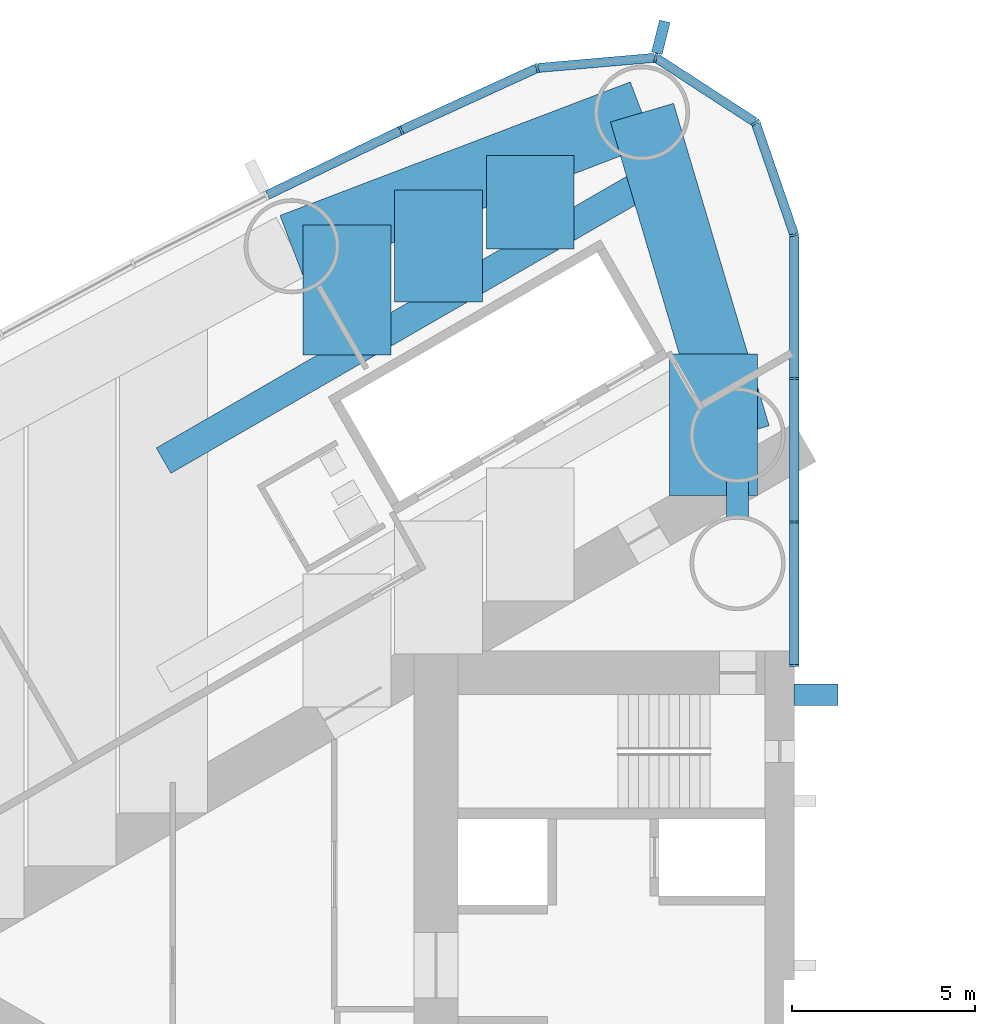
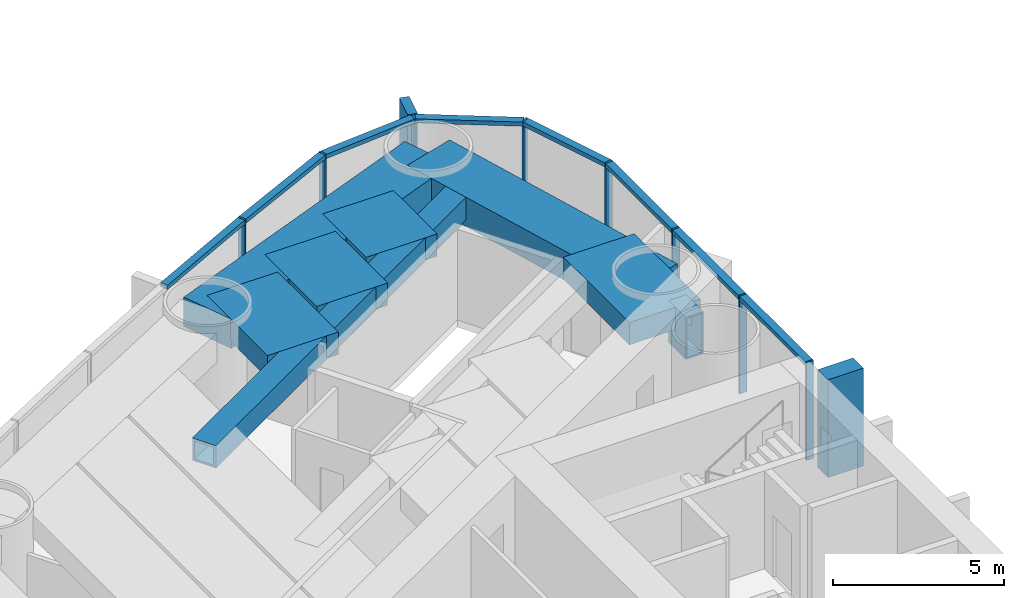
# One storey, part 5 of 18: 18 members, 8 beams, 1 element without a shape of its own.
"""IFC4 building model written with IfcOpenShell, lengths in metres."""

from ifc_helpers import new_model, si_unit, direction, frame, origin, origin_2d, place, context, subcontext, project, spatial, rectangle, hollow_rectangle, extrude, material, material_profile, profile_set, type_object, element, aggregate, save


model = new_model("IFC4")

# Units and contexts
model_context = context("Model", 3, precision=1e-05, world=origin(), true_north=direction((0.0, 1.0)))
body_context = subcontext(model_context, "Body", "Model", "MODEL_VIEW")
ifc_project = project(units=[si_unit("LENGTHUNIT", "METRE"), si_unit("AREAUNIT", "SQUARE_METRE"), si_unit("VOLUMEUNIT", "CUBIC_METRE"), si_unit("PLANEANGLEUNIT", "RADIAN"), si_unit("MASSUNIT", "GRAM", prefix="KILO")], contexts=[model_context])

# Site, building, storey
site_placement = place(None, origin())
site = spatial("IfcSite", under=ifc_project, at=site_placement, CompositionType="ELEMENT")
building_placement = place(site_placement, origin())
building = spatial("IfcBuilding", under=site, at=building_placement, Name="Lancet Gate Hotel", CompositionType="ELEMENT")
storey_placement = place(building_placement, frame((0.0, 0.0, 136.10009765625)))
storey = spatial("IfcBuildingStorey", under=building, at=storey_placement, Name="L36", CompositionType="ELEMENT", Elevation=136.10009765625)

# Curtain wall, members
ifc_material_1 = material(Name="Aluminium curtain wall", Category="aluminium")
curtain_wall_type = type_object("IfcCurtainWallType", Name="Tower unitised curtain wall", PredefinedType="USERDEFINED", material=ifc_material_1)
curtain_wall_placement = place(storey_placement, origin())
curtain_wall = element("IfcCurtainWall", 1, at=curtain_wall_placement, inside=storey, type_object=curtain_wall_type, Name="T1 L36 curtain wall 1", ObjectType="UNITISED CURTAIN WALL", PredefinedType="USERDEFINED")
ifc_material_2 = material(Name="Aluminium mullion", Category="aluminium")
ifc_material_profile_1 = material_profile(ifc_material_2, rectangle(XDim=0.06494140625, YDim=0.25, at=origin_2d()), Name="MULLION 65x250")
ifc_profile_set_1 = profile_set([ifc_material_profile_1], Name="Aluminium mullion")
member_type_1 = type_object("IfcMemberType", Name="Aluminium mullion 65x250", PredefinedType="MULLION", material=ifc_profile_set_1)
member_1_placement = place(storey_placement, frame((-27.5, 8.199951171875, 0.0), z_axis=(0.0, 0.0, 1.0), x_axis=(0.0, 1.0, 0.0)))
member_1 = element("IfcMember", 2, at=member_1_placement, type_object=member_type_1, Name="T1 L36 curtain wall 1 mullion 1", PredefinedType="MULLION", context=body_context, shape_type="SweptSolid", body=[
    extrude(rectangle(XDim=0.06494140625, YDim=0.25, at=origin_2d()), origin(), (0.0, 0.0, 1.0), 3.5),
])
member_2_placement = place(storey_placement, frame((-27.5, 12.123779296875, 0.0), z_axis=(0.0, 0.0, 1.0), x_axis=(0.0, 1.0, 0.0)))
member_2 = element("IfcMember", 3, at=member_2_placement, type_object=member_type_1, Name="T1 L36 curtain wall 1 mullion 2", PredefinedType="MULLION", context=body_context, shape_type="SweptSolid", body=[
    extrude(rectangle(XDim=0.06494140625, YDim=0.25, at=origin_2d()), origin(), (0.0, 0.0, 1.0), 3.5),
])
member_3_placement = place(storey_placement, frame((-27.5, 16.04736328125, 0.0), z_axis=(0.0, 0.0, 1.0), x_axis=(0.0, 1.0, 0.0)))
member_3 = element("IfcMember", 4, at=member_3_placement, type_object=member_type_1, Name="T1 L36 curtain wall 1 mullion 3", PredefinedType="MULLION", context=body_context, shape_type="SweptSolid", body=[
    extrude(rectangle(XDim=0.06494140625, YDim=0.25, at=origin_2d()), origin(), (0.0, 0.0, 1.0), 3.5),
])
member_4_placement = place(storey_placement, frame((-27.5, 19.97119140625, 0.0), z_axis=(0.0, 0.0, 1.0), x_axis=(-0.149634446211, 0.988741388082, 0.0)))
member_4 = element("IfcMember", 5, at=member_4_placement, type_object=member_type_1, Name="T1 L36 curtain wall 1 mullion 4", PredefinedType="MULLION", context=body_context, shape_type="SweptSolid", body=[
    extrude(rectangle(XDim=0.06494140625, YDim=0.25, at=origin_2d()), origin(), (0.0, 0.0, 1.0), 3.5),
])
member_5_placement = place(storey_placement, frame((-28.5595703125, 23.049072265625, 0.0), z_axis=(0.0, 0.0, 1.0), x_axis=(-0.615574240878, 0.788078900851, 0.0)))
member_5 = element("IfcMember", 6, at=member_5_placement, type_object=member_type_1, Name="T1 L36 curtain wall 1 mullion 5", PredefinedType="MULLION", context=body_context, shape_type="SweptSolid", body=[
    extrude(rectangle(XDim=0.06494140625, YDim=0.25, at=origin_2d()), origin(), (0.0, 0.0, 1.0), 3.5),
])
member_6_placement = place(storey_placement, frame((-31.289306640625, 24.822265625, 0.0), z_axis=(0.0, 0.0, 1.0), x_axis=(-0.970242142288, 0.242136707934, 0.0)))
member_6 = element("IfcMember", 7, at=member_6_placement, type_object=member_type_1, Name="T1 L36 curtain wall 1 mullion 6", PredefinedType="MULLION", context=body_context, shape_type="SweptSolid", body=[
    extrude(rectangle(XDim=0.06494140625, YDim=0.25, at=origin_2d()), origin(), (0.0, 0.0, 1.0), 3.5),
])
member_7_placement = place(storey_placement, frame((-34.5322265625, 24.53955078125, 0.0), z_axis=(0.0, 0.0, 1.0), x_axis=(-0.961653318232, -0.27426792655, 0.0)))
member_7 = element("IfcMember", 8, at=member_7_placement, type_object=member_type_1, Name="T1 L36 curtain wall 1 mullion 7", PredefinedType="MULLION", context=body_context, shape_type="SweptSolid", body=[
    extrude(rectangle(XDim=0.06494140625, YDim=0.25, at=origin_2d()), origin(), (0.0, 0.0, 1.0), 3.5),
])
member_8_placement = place(storey_placement, frame((-38.25244140625, 22.83642578125, 0.0), z_axis=(0.0, 0.0, 1.0), x_axis=(-0.904719609771, -0.426007544178, 0.0)))
member_8 = element("IfcMember", 9, at=member_8_placement, type_object=member_type_1, Name="T1 L36 curtain wall 1 mullion 8", PredefinedType="MULLION", context=body_context, shape_type="SweptSolid", body=[
    extrude(rectangle(XDim=0.06494140625, YDim=0.25, at=origin_2d()), origin(), (0.0, 0.0, 1.0), 3.5),
])
ifc_material_3 = material(Name="Aluminium transom", Category="aluminium")
ifc_material_profile_2 = material_profile(ifc_material_3, rectangle(XDim=0.25, YDim=0.14990234375, at=origin_2d()), Name="TRANSOM 250x150")
ifc_profile_set_2 = profile_set([ifc_material_profile_2], Name="Aluminium transom")
member_type_2 = type_object("IfcMemberType", Name="Aluminium transom 250x150", PredefinedType="USERDEFINED", material=ifc_profile_set_2)
member_9_placement = place(storey_placement, frame((-27.5, 8.232421875, 3.4248046875), z_axis=(0.0, 1.0, 0.0), x_axis=(-1.0, 0.0, 0.0)))
member_9 = element("IfcMember", 10, at=member_9_placement, type_object=member_type_2, Name="T1 L36 curtain wall 1 transom 1", ObjectType="TRANSOM", PredefinedType="USERDEFINED", context=body_context, shape_type="SweptSolid", body=[
    extrude(rectangle(XDim=0.25, YDim=0.14990234375, at=origin_2d()), origin(), (0.0, 0.0, 1.0), 3.85888671875),
])
member_10_placement = place(storey_placement, frame((-27.5, 12.15625, 3.4248046875), z_axis=(0.0, 1.0, 0.0), x_axis=(-1.0, 0.0, 0.0)))
member_10 = element("IfcMember", 11, at=member_10_placement, type_object=member_type_2, Name="T1 L36 curtain wall 1 transom 2", ObjectType="TRANSOM", PredefinedType="USERDEFINED", context=body_context, shape_type="SweptSolid", body=[
    extrude(rectangle(XDim=0.25, YDim=0.14990234375, at=origin_2d()), origin(), (0.0, 0.0, 1.0), 3.858642578125),
])
member_11_placement = place(storey_placement, frame((-27.5, 16.079833984375, 3.4248046875), z_axis=(0.0, 1.0, 0.0), x_axis=(-1.0, 0.0, 0.0)))
member_11 = element("IfcMember", 12, at=member_11_placement, type_object=member_type_2, Name="T1 L36 curtain wall 1 transom 3", ObjectType="TRANSOM", PredefinedType="USERDEFINED", context=body_context, shape_type="SweptSolid", body=[
    extrude(rectangle(XDim=0.25, YDim=0.14990234375, at=origin_2d()), origin(), (0.0, 0.0, 1.0), 3.858642578125),
])
member_12_placement = place(storey_placement, frame((-27.510498046875, 20.001708984375, 3.4248046875), z_axis=(-0.32553312754, 0.945530635609, 0.0), x_axis=(-0.945530635609, -0.32553312754, 0.0)))
member_12 = element("IfcMember", 13, at=member_12_placement, type_object=member_type_2, Name="T1 L36 curtain wall 1 transom 4", ObjectType="TRANSOM", PredefinedType="USERDEFINED", context=body_context, shape_type="SweptSolid", body=[
    extrude(rectangle(XDim=0.25, YDim=0.14990234375, at=origin_2d()), origin(), (0.0, 0.0, 1.0), 3.1904296875),
])
member_13_placement = place(storey_placement, frame((-28.5869140625, 23.066650390625, 3.4248046875), z_axis=(-0.838550259452, 0.544824249068, 0.0), x_axis=(-0.544824249068, -0.838550259452, 0.0)))
member_13 = element("IfcMember", 14, at=member_13_placement, type_object=member_type_2, Name="T1 L36 curtain wall 1 transom 5", ObjectType="TRANSOM", PredefinedType="USERDEFINED", context=body_context, shape_type="SweptSolid", body=[
    extrude(rectangle(XDim=0.25, YDim=0.14990234375, at=origin_2d()), origin(), (0.0, 0.0, 1.0), 3.190185546875),
])
member_14_placement = place(storey_placement, frame((-31.32177734375, 24.819580078125, 3.4248046875), z_axis=(-0.996213545522, -0.086940046686, 0.0), x_axis=(0.086940046686, -0.996213545522, 0.0)))
member_14 = element("IfcMember", 15, at=member_14_placement, type_object=member_type_2, Name="T1 L36 curtain wall 1 transom 6", ObjectType="TRANSOM", PredefinedType="USERDEFINED", context=body_context, shape_type="SweptSolid", body=[
    extrude(rectangle(XDim=0.25, YDim=0.14990234375, at=origin_2d()), origin(), (0.0, 0.0, 1.0), 3.18994140625),
])
member_15_placement = place(storey_placement, frame((-34.561767578125, 24.52587890625, 3.4248046875), z_axis=(-0.909252284196, -0.416245460857, 0.0), x_axis=(0.416245460857, -0.909252284196, 0.0)))
member_15 = element("IfcMember", 16, at=member_15_placement, type_object=member_type_2, Name="T1 L36 curtain wall 1 transom 7", ObjectType="TRANSOM", PredefinedType="USERDEFINED", context=body_context, shape_type="SweptSolid", body=[
    extrude(rectangle(XDim=0.25, YDim=0.14990234375, at=origin_2d()), origin(), (0.0, 0.0, 1.0), 4.026611328125),
])
member_16_placement = place(storey_placement, frame((-38.28173828125, 22.822265625, 3.4248046875), z_axis=(-0.900065677074, -0.435754262117, 0.0), x_axis=(0.435754262117, -0.900065677074, 0.0)))
member_16 = element("IfcMember", 17, at=member_16_placement, type_object=member_type_2, Name="T1 L36 curtain wall 1 transom 8", ObjectType="TRANSOM", PredefinedType="USERDEFINED", context=body_context, shape_type="SweptSolid", body=[
    extrude(rectangle(XDim=0.25, YDim=0.14990234375, at=origin_2d()), origin(), (0.0, 0.0, 1.0), 4.026611328125),
])

# Beams
ifc_material_4 = material(Name="Concrete C50/60", Category="concrete")
ifc_material_profile_3 = material_profile(ifc_material_4, rectangle(XDim=1.800048828125, YDim=1.050048828125, at=origin_2d()), Name="RC 1800x1050")
ifc_profile_set_3 = profile_set([ifc_material_profile_3], Name="Concrete C50/60")
beam_type_1 = type_object("IfcBeamType", Name="Edge beam RC 1800x1050", PredefinedType="SPANDREL", material=ifc_profile_set_3)
beam_1_placement = place(storey_placement, frame((-31.66455078125, 23.318359375, 2.724853515625), z_axis=(-0.934392266213, -0.356245832033, 0.0), x_axis=(0.356245832033, -0.934392266213, 0.0)))
element("IfcBeam", 18, at=beam_1_placement, inside=storey, type_object=beam_type_1, Name="T1 edge beam EB1 L36", PredefinedType="SPANDREL", context=body_context, shape_type="SweptSolid", body=[
    extrude(rectangle(XDim=1.800048828125, YDim=1.050048828125, at=origin_2d()), origin(), (0.0, 0.0, 1.0), 10.2529296875),
])
beam_2_placement = place(storey_placement, frame((-31.66455078125, 23.318359375, 2.724853515625), z_axis=(0.284253711522, -0.958749095168, 0.0), x_axis=(0.958749095168, 0.284253711522, 0.0)))
element("IfcBeam", 19, at=beam_2_placement, inside=storey, type_object=beam_type_1, Name="T1 edge beam EB1 L36", PredefinedType="SPANDREL", context=body_context, shape_type="SweptSolid", body=[
    extrude(rectangle(XDim=1.800048828125, YDim=1.050048828125, at=origin_2d()), origin(), (0.0, 0.0, 1.0), 9.19775390625),
])

# Member
ifc_material_5 = material(Name="Concrete C60/75", Category="concrete")
ifc_material_profile_4 = material_profile(ifc_material_5, rectangle(XDim=0.60009765625, YDim=1.199951171875, at=origin_2d()), Name="FIN 600x1200")
ifc_profile_set_4 = profile_set([ifc_material_profile_4], Name="Concrete C60/75")
member_type_3 = type_object("IfcMemberType", Name="Exposed concrete buttress pilaster 600x1200", PredefinedType="USERDEFINED", material=ifc_profile_set_4)
member_17_placement = place(storey_placement, frame((-26.909912109375, 7.39990234375, 0.0), z_axis=(0.0, 0.0, 1.0), x_axis=(0.0, 1.0, 0.0)))
element("IfcMember", 20, at=member_17_placement, inside=storey, type_object=member_type_3, Name="T1 buttress pilaster S L36", ObjectType="FIN", PredefinedType="USERDEFINED", context=body_context, shape_type="SweptSolid", body=[
    extrude(rectangle(XDim=0.60009765625, YDim=1.199951171875, at=origin_2d()), origin(), (0.0, 0.0, 1.0), 3.5),
])

ifc_material_6 = material(Name="Precast concrete C50/60", Category="concrete")
ifc_material_profile_5 = material_profile(ifc_material_6, rectangle(XDim=0.300048828125, YDim=0.89990234375, at=origin_2d()), Name="FIN 300x900")
ifc_profile_set_5 = profile_set([ifc_material_profile_5], Name="Precast concrete C50/60")
member_type_4 = type_object("IfcMemberType", Name="Exposed concrete fin 300x900", PredefinedType="USERDEFINED", material=ifc_profile_set_5)
member_18_placement = place(storey_placement, frame((-31.150146484375, 25.380126953125, 0.0), z_axis=(0.0, 0.0, 1.0), x_axis=(-0.970242142288, 0.242136707934, 0.0)))
member_18 = element("IfcMember", 21, at=member_18_placement, type_object=member_type_4, Name="T1 L36 curtain wall 1 fin 6", ObjectType="FIN", PredefinedType="USERDEFINED", context=body_context, shape_type="SweptSolid", body=[
    extrude(rectangle(XDim=0.300048828125, YDim=0.89990234375, at=origin_2d()), origin(), (0.0, 0.0, 1.0), 3.5),
])

aggregate(curtain_wall, [member_1, member_2, member_3, member_4, member_5, member_6, member_18, member_7, member_8, member_9, member_10, member_11, member_12, member_13, member_14, member_15, member_16])

# Beams
ifc_material_7 = material(Name="Concrete C50/60", Category="concrete")
ifc_material_profile_6 = material_profile(ifc_material_7, rectangle(XDim=2.39990234375, YDim=0.800048828125, at=origin_2d()), Name="RC 2400x800")
ifc_profile_set_6 = profile_set([ifc_material_profile_6], Name="Concrete C50/60")
beam_type_2 = type_object("IfcBeamType", Name="Floor beam RC 2400x800", PredefinedType="BEAM", material=ifc_profile_set_6)
beam_3_placement = place(storey_placement, frame((-29.706787109375, 16.71533203125, 2.849853515625), z_axis=(0.0, -1.0, 0.0), x_axis=(1.0, 0.0, 0.0)))
element("IfcBeam", 22, at=beam_3_placement, inside=storey, type_object=beam_type_2, Name="T1 floor beam F02S L36", PredefinedType="BEAM", context=body_context, shape_type="SweptSolid", body=[
    extrude(rectangle(XDim=2.39990234375, YDim=0.800048828125, at=origin_2d()), origin(), (0.0, 0.0, 1.0), 3.86279296875),
])
beam_4_placement = place(storey_placement, frame((-34.720458984375, 22.1533203125, 2.849853515625), z_axis=(0.0, -1.0, 0.0), x_axis=(1.0, 0.0, 0.0)))
element("IfcBeam", 23, at=beam_4_placement, inside=storey, type_object=beam_type_2, Name="T1 floor beam F04SA L36", PredefinedType="BEAM", context=body_context, shape_type="SweptSolid", body=[
    extrude(rectangle(XDim=2.39990234375, YDim=0.800048828125, at=origin_2d()), origin(), (0.0, 0.0, 1.0), 2.561767578125),
])
beam_5_placement = place(storey_placement, frame((-37.227294921875, 21.197509765625, 2.849853515625), z_axis=(0.0, -1.0, 0.0), x_axis=(1.0, 0.0, 0.0)))
element("IfcBeam", 24, at=beam_5_placement, inside=storey, type_object=beam_type_2, Name="T1 floor beam F05SA L36", PredefinedType="BEAM", context=body_context, shape_type="SweptSolid", body=[
    extrude(rectangle(XDim=2.39990234375, YDim=0.800048828125, at=origin_2d()), origin(), (0.0, 0.0, 1.0), 3.053466796875),
])
beam_6_placement = place(storey_placement, frame((-39.734130859375, 20.24169921875, 2.849853515625), z_axis=(0.0, -1.0, 0.0), x_axis=(1.0, 0.0, 0.0)))
element("IfcBeam", 25, at=beam_6_placement, inside=storey, type_object=beam_type_2, Name="T1 floor beam F07SA L36", PredefinedType="BEAM", context=body_context, shape_type="SweptSolid", body=[
    extrude(rectangle(XDim=2.39990234375, YDim=0.800048828125, at=origin_2d()), origin(), (0.0, 0.0, 1.0), 3.545166015625),
])
ifc_material_8 = material(Name="Steel S460QL", Category="steel")
ifc_material_profile_7 = material_profile(ifc_material_8, hollow_rectangle(XDim=0.60009765625, YDim=1.5, WallThickness=0.050048828125, at=origin_2d()), Name="BOX 1500x600x50")
ifc_profile_set_7 = profile_set([ifc_material_profile_7], Name="Steel S460QL")
beam_type_3 = type_object("IfcBeamType", Name="Inner-face link beam BOX 1500x600x50", PredefinedType="BEAM", material=ifc_profile_set_7)
beam_7_placement = place(storey_placement, frame((-29.050048828125, 13.25, 2.5), z_axis=(0.0, -1.0, 0.0), x_axis=(1.0, 0.0, 0.0)))
element("IfcBeam", 26, at=beam_7_placement, inside=storey, type_object=beam_type_3, Name="T1 inner-face link beam LK1 L36", PredefinedType="BEAM", context=body_context, shape_type="SweptSolid", body=[
    extrude(hollow_rectangle(XDim=0.60009765625, YDim=1.5, WallThickness=0.050048828125, at=origin_2d()), origin(), (0.0, 0.0, 1.0), 1.0),
])
ifc_material_9 = material(Name="Steel S460QL", Category="steel")
ifc_material_profile_8 = material_profile(ifc_material_9, hollow_rectangle(XDim=0.800048828125, YDim=0.800048828125, WallThickness=0.080078125, at=origin_2d()), Name="BOX 800x800x80")
ifc_profile_set_8 = profile_set([ifc_material_profile_8], Name="Steel S460QL")
beam_type_4 = type_object("IfcBeamType", Name="Trimmer beam BOX 800x800x80", PredefinedType="BEAM", material=ifc_profile_set_8)
beam_8_placement = place(storey_placement, frame((-31.16796875, 21.642822265625, 2.849853515625), z_axis=(-0.866004868127, -0.500035567115, 0.0), x_axis=(0.500035567115, -0.866004868127, 0.0)))
element("IfcBeam", 27, at=beam_8_placement, inside=storey, type_object=beam_type_4, Name="T1 trimmer beam TR04S L36", PredefinedType="BEAM", context=body_context, shape_type="SweptSolid", body=[
    extrude(hollow_rectangle(XDim=0.800048828125, YDim=0.800048828125, WallThickness=0.080078125, at=origin_2d()), origin(), (0.0, 0.0, 1.0), 15.680908203125),
])

save(model, "model.ifc")
